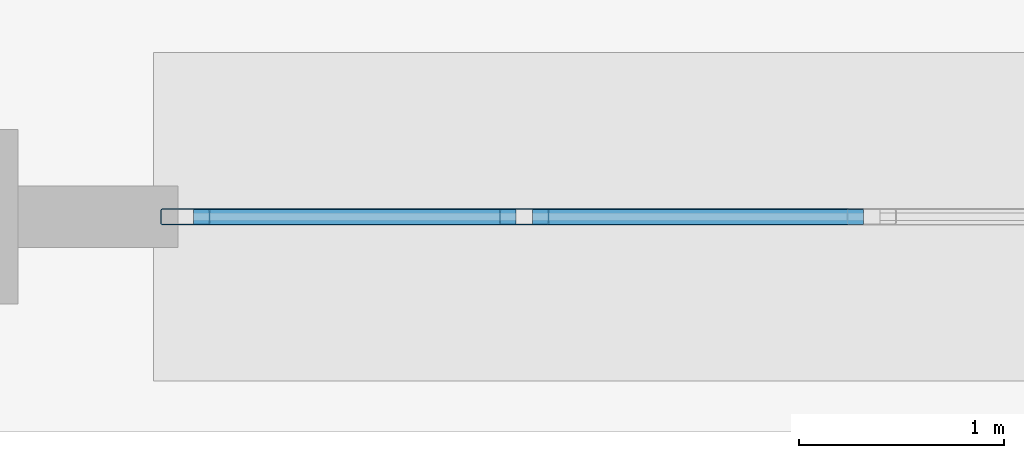
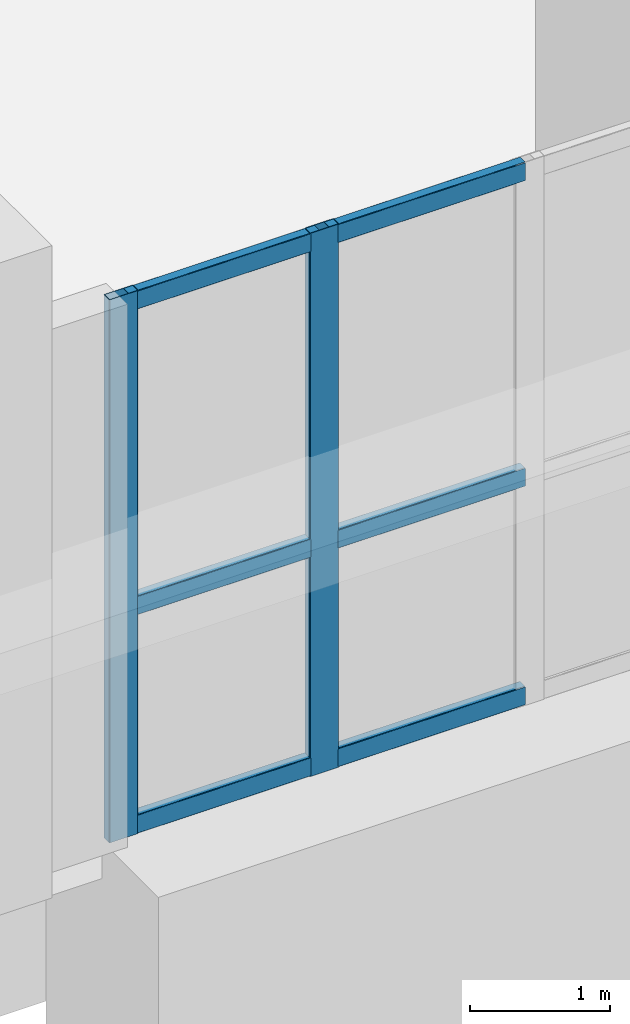
# One storey, part 2 of 25: 8 members, 1 element without a shape of its own.
"""IFC4 building model written with IfcOpenShell, lengths in metres."""

import ifcopenshell
import ifcopenshell.guid

model = None  # the IFC model being written
_history = None  # IfcOwnerHistory: only IFC2X3 demands one
_inside = {}  # id of a spatial element -> (the spatial element, [elements in it])
_under = {}  # id of a project, library or spatial element -> (it, [spatial elements below it])
_declared = {}  # id of a project -> (the project, [libraries it declares])
_typed = {}  # id of a type object -> (the type object, [elements of that type])
_made_of = {}  # id of a material, layer set ... -> (it, [elements and type objects made of it])


def new_model(schema):
    """Start an empty IFC model of exactly this schema.

    Asked for "IFC4X3", IfcOpenShell would pick the latest addendum, in which some entities
    have other attributes; the version numbers below select the first issue.
    IFC2X3 requires an IfcOwnerHistory on every rooted entity: one is made here for all.
    """
    global model, _history
    if schema == "IFC4X3":
        model = ifcopenshell.file(schema_version=(4, 3, 0, 0))
    else:
        model = ifcopenshell.file(schema=schema)
    _inside.clear()
    _under.clear()
    _declared.clear()
    _typed.clear()
    _made_of.clear()
    _history = None
    if model.schema == "IFC2X3":
        org = make("IfcOrganization", Name="unknown")
        user = make(
            "IfcPersonAndOrganization",
            ThePerson=make("IfcPerson", FamilyName="unknown"),
            TheOrganization=org,
        )
        app = make(
            "IfcApplication",
            ApplicationDeveloper=org,
            Version="unknown",
            ApplicationFullName="unknown",
            ApplicationIdentifier="unknown",
        )
        _history = make(
            "IfcOwnerHistory",
            OwningUser=user,
            OwningApplication=app,
            ChangeAction="ADDED",
            CreationDate=0,
        )
    return model


def make(cls, **values):
    """One entity of the class cls with the attributes given. An attribute that is None is left unset."""
    return model.create_entity(
        cls, **{name: value for name, value in values.items() if value is not None}
    )


def rooted(cls, **values):
    """An entity with a GlobalId (a new one), such as an element, a storey or a relation."""
    return make(cls, GlobalId=ifcopenshell.guid.new(), OwnerHistory=_history, **values)


def si_unit(unit_type, name, prefix=None):
    """IfcSIUnit, for example si_unit("LENGTHUNIT", "METRE", prefix="MILLI")."""
    return make("IfcSIUnit", UnitType=unit_type, Prefix=prefix, Name=name)


def assignment(units):
    """IfcUnitAssignment: the units of a project."""
    return None if units is None else make("IfcUnitAssignment", Units=units)


def point(xyz):
    """IfcCartesianPoint."""
    return None if xyz is None else make("IfcCartesianPoint", Coordinates=xyz)


def direction(xyz):
    """IfcDirection."""
    return None if xyz is None else make("IfcDirection", DirectionRatios=xyz)


def frame(location, z_axis=None, x_axis=None):
    """IfcAxis2Placement3D, a coordinate frame: its origin and axes. An axis left out is left unset."""
    return make(
        "IfcAxis2Placement3D",
        Location=point(location),
        Axis=direction(z_axis),
        RefDirection=direction(x_axis),
    )


def frame_2d(location, x_axis=None):
    """IfcAxis2Placement2D, a coordinate frame in the plane: its origin and x axis."""
    return make(
        "IfcAxis2Placement2D", Location=point(location), RefDirection=direction(x_axis)
    )


def origin():
    """The frame at (0, 0, 0) with its axes left unset."""
    return frame((0.0, 0.0, 0.0))


def origin_2d():
    """The frame at (0, 0) in the plane with its x axis left unset."""
    return frame_2d((0.0, 0.0))


def place(relative_to, where):
    """IfcLocalPlacement: puts the frame where relative to a parent placement (None: the world)."""
    return make(
        "IfcLocalPlacement", PlacementRelTo=relative_to, RelativePlacement=where
    )


def context(
    kind, dimensions, precision=None, world=None, true_north=None, identifier=None
):
    """IfcGeometricRepresentationContext, for example the 3D "Model" context."""
    return make(
        "IfcGeometricRepresentationContext",
        ContextIdentifier=identifier,
        ContextType=kind,
        CoordinateSpaceDimension=dimensions,
        Precision=precision,
        WorldCoordinateSystem=world,
        TrueNorth=true_north,
    )


def subcontext(parent, identifier, kind, view, scale=None):
    """IfcGeometricRepresentationSubContext, for example "Body" below "Model"."""
    return make(
        "IfcGeometricRepresentationSubContext",
        ContextIdentifier=identifier,
        ContextType=kind,
        ParentContext=parent,
        TargetScale=scale,
        TargetView=view,
    )


def project(units=None, contexts=None):
    """IfcProject with its units and contexts."""
    return rooted(
        "IfcProject",
        Name="project",
        RepresentationContexts=contexts,
        UnitsInContext=assignment(units),
    )


def spatial(cls, under=None, at=None, **own):
    """A site, building, storey or space (cls), placed at a placement, below another one or the project."""
    s = rooted(cls, ObjectPlacement=at, **own)
    if under is not None:
        _under.setdefault(under.id(), (under, []))[1].append(s)
    return s


def profile(cls, at=None, kind="AREA", **sizes):
    """A parametric profile (cls). Its sizes go by their IFC names, for example OverallWidth=200.0."""
    return make(cls, ProfileType=kind, Position=at, **sizes)


def hollow_rectangle(**sizes):
    """IfcRectangleHollowProfileDef."""
    return profile("IfcRectangleHollowProfileDef", **sizes)


def extrude(swept, where, along, depth):
    """IfcExtrudedAreaSolid: the profile swept, set in the frame where, extruded along a direction by depth."""
    return make(
        "IfcExtrudedAreaSolid",
        SweptArea=swept,
        Position=where,
        ExtrudedDirection=direction(along),
        Depth=depth,
    )


def shape(context_of_items, identifier, shape_type, items):
    """IfcShapeRepresentation: the items that make up one representation, for example the "Body"."""
    return make(
        "IfcShapeRepresentation",
        ContextOfItems=context_of_items,
        RepresentationIdentifier=identifier,
        RepresentationType=shape_type,
        Items=items,
    )


def material(Name=None, Category=None):
    """IfcMaterial."""
    return make("IfcMaterial", Name=Name, Category=Category)


def layer(
    of_material, thickness, ventilated=None, Name=None, Category=None, Priority=None
):
    """IfcMaterialLayer: one layer of a wall or slab, of a material (None: an air gap)."""
    return make(
        "IfcMaterialLayer",
        Material=of_material,
        LayerThickness=thickness,
        IsVentilated=ventilated,
        Name=Name,
        Category=Category,
        Priority=Priority,
    )


def layer_set(layers, Name=None):
    """IfcMaterialLayerSet."""
    return make("IfcMaterialLayerSet", MaterialLayers=layers, LayerSetName=Name)


def material_profile(
    of_material, cross_section, Name=None, Category=None, Priority=None
):
    """IfcMaterialProfile: a cross section and its material."""
    return make(
        "IfcMaterialProfile",
        Name=Name,
        Material=of_material,
        Profile=cross_section,
        Priority=Priority,
        Category=Category,
    )


def profile_set(profiles, Name=None, composite=None):
    """IfcMaterialProfileSet."""
    return make(
        "IfcMaterialProfileSet",
        Name=Name,
        MaterialProfiles=profiles,
        CompositeProfile=composite,
    )


def made_of(thing, what):
    """Note that an element or type object is made of a material, layer set ...; save() writes the relation."""
    if what is not None:
        _made_of.setdefault(what.id(), (what, []))[1].append(thing)
    return thing


def type_object(cls, material=None, **own):
    """A type object (cls), such as IfcWallType, which elements share."""
    return made_of(rooted(cls, **own), material)


def element(
    cls,
    number,
    at=None,
    inside=None,
    cuts=None,
    type_object=None,
    material=None,
    context=None,
    identifier="Body",
    shape_type=None,
    held_by="IfcProductDefinitionShape",
    body=None,
    shapes=None,
    **own,
):
    """One element of the class cls, such as IfcWall. Its Tag is "e" and its number.

    at: its placement. inside: the storey or other place that contains it. cuts: it is an
    opening in that element (IfcRelVoidsElement). A single representation is given by context,
    identifier, shape_type and body (its items); several are given by shapes. held_by: the class
    of the entity that holds the representations. save() writes the other relations.
    """
    e = rooted(cls, Tag="e%d" % number, ObjectPlacement=at, **own)
    if body is not None:
        shapes = [shape(context, identifier, shape_type, body)]
    if shapes is not None:
        e.Representation = make(held_by, Representations=shapes)
    if inside is not None:
        _inside.setdefault(inside.id(), (inside, []))[1].append(e)
    if cuts is not None:
        rooted(
            "IfcRelVoidsElement", RelatingBuildingElement=cuts, RelatedOpeningElement=e
        )
    if type_object is not None:
        _typed.setdefault(type_object.id(), (type_object, []))[1].append(e)
    return made_of(e, material)


def aggregate(whole, parts):
    """IfcRelAggregates: a whole, such as a stair, and the parts it consists of."""
    return rooted("IfcRelAggregates", RelatingObject=whole, RelatedObjects=parts)


def save(model, path):
    """Write the relations noted so far, then the file.

    IfcRelAggregates (storeys below a building ...), IfcRelContainedInSpatialStructure (elements
    in a storey), IfcRelDefinesByType, IfcRelAssociatesMaterial and IfcRelDeclares: one each for
    every whole, place, type object, material and project.
    """
    for whole, parts in _under.values():
        aggregate(whole, parts)
    for where, things in _inside.values():
        rooted(
            "IfcRelContainedInSpatialStructure",
            RelatedElements=things,
            RelatingStructure=where,
        )
    for kind, things in _typed.values():
        rooted("IfcRelDefinesByType", RelatedObjects=things, RelatingType=kind)
    for what, things in _made_of.values():
        rooted("IfcRelAssociatesMaterial", RelatedObjects=things, RelatingMaterial=what)
    for by, libraries in _declared.values():
        rooted("IfcRelDeclares", RelatingContext=by, RelatedDefinitions=libraries)
    model.write(path)


model = new_model("IFC4")

# Units and contexts
model_context = context("Model", 3, precision=1e-05, world=origin(), true_north=direction((0.0, 1.0)))
body_context = subcontext(model_context, "Body", "Model", "MODEL_VIEW")
ifc_project = project(units=[si_unit("LENGTHUNIT", "METRE"), si_unit("AREAUNIT", "SQUARE_METRE"), si_unit("VOLUMEUNIT", "CUBIC_METRE"), si_unit("PLANEANGLEUNIT", "RADIAN"), si_unit("MASSUNIT", "GRAM", prefix="KILO")], contexts=[model_context])

# Site, building, storey
site_placement = place(None, origin())
site = spatial("IfcSite", under=ifc_project, at=site_placement, CompositionType="ELEMENT")
building_placement = place(site_placement, origin())
building = spatial("IfcBuilding", under=site, at=building_placement, Name="Kaelvorn Grand Hotel", CompositionType="ELEMENT")
storey_placement = place(building_placement, frame((0.0, 0.0, 8.0)))
storey = spatial("IfcBuildingStorey", under=building, at=storey_placement, Name="L01", CompositionType="ELEMENT", Elevation=8.0)

# Curtain wall, members
ifc_material = material(Name="Anodised Aluminium", Category="aluminium")
ifc_layer = layer(ifc_material, 0.239990234375)
ifc_layer_set = layer_set([ifc_layer], Name="Anodised Aluminium")
curtain_wall_type = type_object("IfcCurtainWallType", Name="CW-SYS1", PredefinedType="NOTDEFINED", material=ifc_layer_set)
curtain_wall_placement = place(storey_placement, origin())
curtain_wall = element("IfcCurtainWall", 1, at=curtain_wall_placement, inside=storey, type_object=curtain_wall_type, Name="L01 Unitised Curtain Wall CW1 (CW-L01-S-01)", PredefinedType="NOTDEFINED")
ifc_material_profile_1 = material_profile(ifc_material, hollow_rectangle(XDim=0.080078125, YDim=0.239990234375, WallThickness=0.0048828125, InnerFilletRadius=0.0048828125, OuterFilletRadius=0.010009765625, at=origin_2d()), Name="ALU MULL 80x240")
ifc_profile_set_1 = profile_set([ifc_material_profile_1], Name="Anodised Aluminium")
member_type_1 = type_object("IfcMemberType", Name="CW-SYS1-MULL", PredefinedType="MULLION", material=ifc_profile_set_1)
member_1_placement = place(storey_placement, frame((10.239990234375, -2.5, 0.0), z_axis=(0.0, 0.0, 1.0), x_axis=(0.0, 1.0, 0.0)))
member_1 = element("IfcMember", 2, at=member_1_placement, type_object=member_type_1, Name="CW1 mullion 1", PredefinedType="MULLION", context=body_context, shape_type="SweptSolid", body=[
    extrude(hollow_rectangle(XDim=0.080078125, YDim=0.239990234375, WallThickness=0.0048828125, InnerFilletRadius=0.0048828125, OuterFilletRadius=0.010009765625, at=origin_2d()), origin(), (0.0, 0.0, 1.0), 4.72998046875),
])
member_2_placement = place(storey_placement, frame((11.893310546875, -2.5, 0.0), z_axis=(0.0, 0.0, 1.0), x_axis=(0.0, 1.0, 0.0)))
member_2 = element("IfcMember", 3, at=member_2_placement, type_object=member_type_1, Name="CW1 mullion 2", PredefinedType="MULLION", context=body_context, shape_type="SweptSolid", body=[
    extrude(hollow_rectangle(XDim=0.080078125, YDim=0.239990234375, WallThickness=0.0048828125, InnerFilletRadius=0.0048828125, OuterFilletRadius=0.010009765625, at=origin_2d()), origin(), (0.0, 0.0, 1.0), 4.72998046875),
])
ifc_material_profile_2 = material_profile(ifc_material, hollow_rectangle(XDim=0.080078125, YDim=0.1650390625, WallThickness=0.00439453125, InnerFilletRadius=0.00439453125, OuterFilletRadius=0.009033203125, at=origin_2d()), Name="ALU TRAN 80x165")
ifc_profile_set_2 = profile_set([ifc_material_profile_2], Name="Anodised Aluminium")
member_type_2 = type_object("IfcMemberType", Name="CW-SYS1-TRAN", PredefinedType="NOTDEFINED", material=ifc_profile_set_2)
member_3_placement = place(storey_placement, frame((10.280029296875, -2.5, 0.08251953125), z_axis=(1.0, 0.0, 0.0), x_axis=(0.0, 1.0, 0.0)))
member_3 = element("IfcMember", 4, at=member_3_placement, type_object=member_type_2, Name="CW1 transom 1.1", ObjectType="TRANSOM", PredefinedType="USERDEFINED", context=body_context, shape_type="SweptSolid", body=[
    extrude(hollow_rectangle(XDim=0.080078125, YDim=0.1650390625, WallThickness=0.00439453125, InnerFilletRadius=0.00439453125, OuterFilletRadius=0.009033203125, at=origin_2d()), origin(), (0.0, 0.0, 1.0), 1.5732421875),
])
member_4_placement = place(storey_placement, frame((10.280029296875, -2.5, 1.986572265625), z_axis=(1.0, 0.0, 0.0), x_axis=(0.0, 1.0, 0.0)))
member_4 = element("IfcMember", 5, at=member_4_placement, type_object=member_type_2, Name="CW1 transom 1.2", ObjectType="TRANSOM", PredefinedType="USERDEFINED", context=body_context, shape_type="SweptSolid", body=[
    extrude(hollow_rectangle(XDim=0.080078125, YDim=0.1650390625, WallThickness=0.00439453125, InnerFilletRadius=0.00439453125, OuterFilletRadius=0.009033203125, at=origin_2d()), origin(), (0.0, 0.0, 1.0), 1.5732421875),
])
member_5_placement = place(storey_placement, frame((10.280029296875, -2.5, 4.6474609375), z_axis=(1.0, 0.0, 0.0), x_axis=(0.0, 1.0, 0.0)))
member_5 = element("IfcMember", 6, at=member_5_placement, type_object=member_type_2, Name="CW1 transom 1.3", ObjectType="TRANSOM", PredefinedType="USERDEFINED", context=body_context, shape_type="SweptSolid", body=[
    extrude(hollow_rectangle(XDim=0.080078125, YDim=0.1650390625, WallThickness=0.00439453125, InnerFilletRadius=0.00439453125, OuterFilletRadius=0.009033203125, at=origin_2d()), origin(), (0.0, 0.0, 1.0), 1.5732421875),
])
member_6_placement = place(storey_placement, frame((11.933349609375, -2.5, 0.08251953125), z_axis=(1.0, 0.0, 0.0), x_axis=(0.0, 1.0, 0.0)))
member_6 = element("IfcMember", 7, at=member_6_placement, type_object=member_type_2, Name="CW1 transom 2.1", ObjectType="TRANSOM", PredefinedType="USERDEFINED", context=body_context, shape_type="SweptSolid", body=[
    extrude(hollow_rectangle(XDim=0.080078125, YDim=0.1650390625, WallThickness=0.00439453125, InnerFilletRadius=0.00439453125, OuterFilletRadius=0.009033203125, at=origin_2d()), origin(), (0.0, 0.0, 1.0), 1.61328125),
])
member_7_placement = place(storey_placement, frame((11.933349609375, -2.5, 1.986572265625), z_axis=(1.0, 0.0, 0.0), x_axis=(0.0, 1.0, 0.0)))
member_7 = element("IfcMember", 8, at=member_7_placement, type_object=member_type_2, Name="CW1 transom 2.2", ObjectType="TRANSOM", PredefinedType="USERDEFINED", context=body_context, shape_type="SweptSolid", body=[
    extrude(hollow_rectangle(XDim=0.080078125, YDim=0.1650390625, WallThickness=0.00439453125, InnerFilletRadius=0.00439453125, OuterFilletRadius=0.009033203125, at=origin_2d()), origin(), (0.0, 0.0, 1.0), 1.61328125),
])
member_8_placement = place(storey_placement, frame((11.933349609375, -2.5, 4.6474609375), z_axis=(1.0, 0.0, 0.0), x_axis=(0.0, 1.0, 0.0)))
member_8 = element("IfcMember", 9, at=member_8_placement, type_object=member_type_2, Name="CW1 transom 2.3", ObjectType="TRANSOM", PredefinedType="USERDEFINED", context=body_context, shape_type="SweptSolid", body=[
    extrude(hollow_rectangle(XDim=0.080078125, YDim=0.1650390625, WallThickness=0.00439453125, InnerFilletRadius=0.00439453125, OuterFilletRadius=0.009033203125, at=origin_2d()), origin(), (0.0, 0.0, 1.0), 1.61328125),
])
aggregate(curtain_wall, [member_1, member_2, member_3, member_4, member_5, member_6, member_7, member_8])

save(model, "model.ifc")
